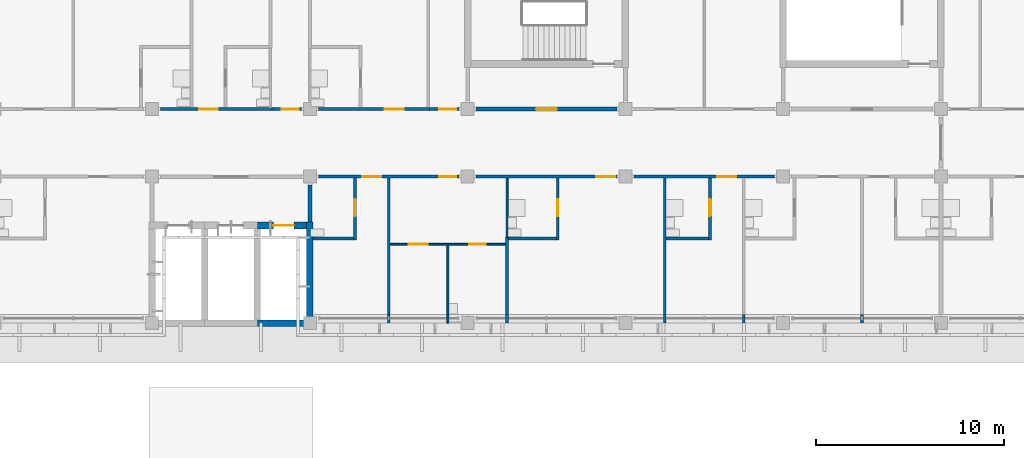
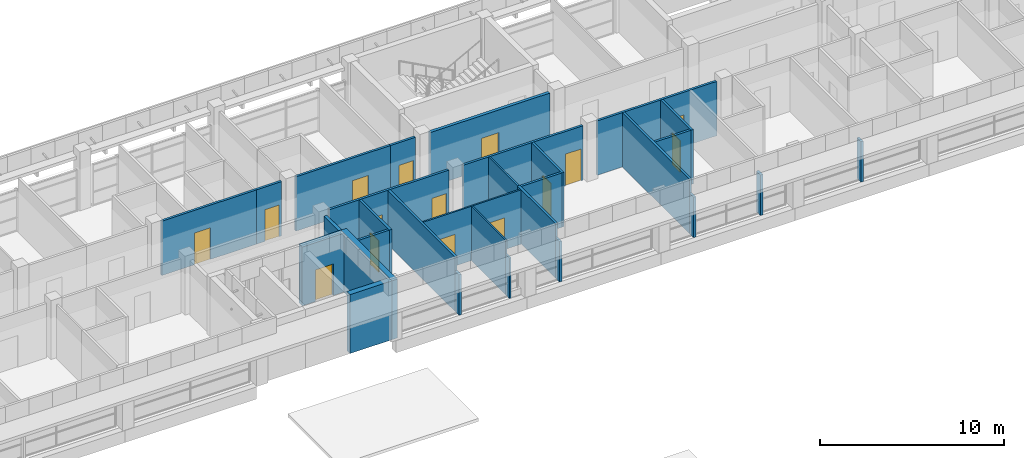
# One storey, part 16 of 36: 30 walls, 15 doors, 15 openings.
"""IFC4 building model written with IfcOpenShell, lengths in metres."""

from ifc_helpers import new_model, si_unit, direction, frame, frame_2d, origin, place, context, subcontext, project, spatial, rectangle, extrude, material, layer, layer_set, type_object, element, fill, save


model = new_model("IFC4")

# Units and contexts
model_context = context("Model", 3, precision=1e-05, world=origin(), true_north=direction((0.0, 1.0)))
body_context = subcontext(model_context, "Body", "Model", "MODEL_VIEW")
ifc_project = project(units=[si_unit("LENGTHUNIT", "METRE"), si_unit("AREAUNIT", "SQUARE_METRE"), si_unit("VOLUMEUNIT", "CUBIC_METRE"), si_unit("PLANEANGLEUNIT", "RADIAN"), si_unit("MASSUNIT", "GRAM", prefix="KILO")], contexts=[model_context])

# Site, building, storey
site_placement = place(None, origin())
site = spatial("IfcSite", under=ifc_project, at=site_placement, CompositionType="ELEMENT")
building_placement = place(site_placement, origin())
building = spatial("IfcBuilding", under=site, at=building_placement, Name="Bougainvillea Quay General Hospital", CompositionType="ELEMENT")
storey_placement = place(building_placement, frame((0.0, 0.0, 32.699951171875)))
storey = spatial("IfcBuildingStorey", under=building, at=storey_placement, Name="L07", CompositionType="ELEMENT", Elevation=32.699951171875)

# Wall, openings, doors
ifc_material_1 = material(Name="Gypsum board partition on steel studs", Category="steel")
ifc_layer_1 = layer(ifc_material_1, 0.10009765625)
ifc_layer_set_1 = layer_set([ifc_layer_1], Name="Gypsum board partition on steel studs")
wall_type_1 = type_object("IfcWallType", Name="Partition 100 Gypsum board partition", PredefinedType="PARTITIONING", material=ifc_layer_set_1)
wall_1_placement = place(storey_placement, frame((79.875, 144.60009765625, 0.0), z_axis=(0.0, 0.0, 1.0), x_axis=(1.0, 0.0, 0.0)))
wall_1 = element("IfcWall", 1, at=wall_1_placement, inside=storey, type_object=wall_type_1, Name="Partition 100 mm", PredefinedType="PARTITIONING", context=body_context, shape_type="SweptSolid", body=[
    extrude(rectangle(XDim=6.14990234375, YDim=0.10009765625, at=frame_2d((3.074951171875, 0.0))), origin(), (0.0, 0.0, 1.0), 3.60009765625),
])
opening_1_placement = place(wall_1_placement, frame((1.0, 0.0, 0.0)))
opening_1 = element("IfcOpeningElement", 2, at=opening_1_placement, cuts=wall_1, Name="Opening L07.023", PredefinedType="OPENING", context=body_context, shape_type="SweptSolid", body=[
    extrude(rectangle(XDim=1.0, YDim=2.10009765625, at=frame_2d((0.5, 1.050048828125))), frame((0.0, 0.06005859375, 0.0), z_axis=(0.0, -1.0, 0.0), x_axis=(1.0, 0.0, 0.0)), (0.0, 0.0, 1.0), 0.1201171875),
])
opening_2_placement = place(wall_1_placement, frame((4.199951171875, 0.0, 0.0)))
opening_2 = element("IfcOpeningElement", 3, at=opening_2_placement, cuts=wall_1, Name="Opening L07.024", PredefinedType="OPENING", context=body_context, shape_type="SweptSolid", body=[
    extrude(rectangle(XDim=0.89990234375, YDim=2.10009765625, at=frame_2d((0.449951171875, 1.050048828125))), frame((0.0, 0.06005859375, 0.0), z_axis=(0.0, -1.0, 0.0), x_axis=(1.0, 0.0, 0.0)), (0.0, 0.0, 1.0), 0.1201171875),
])
ifc_material_2 = material(Name="Solid-core timber door leaf in steel frame", Category="steel")
door_type_1 = type_object("IfcDoorType", Name="Single leaf door 1000x2100", OperationType="NOTDEFINED", PredefinedType="DOOR", material=ifc_material_2)
door_1_placement = place(opening_1_placement, frame((1.0, 0.0, 0.0), z_axis=(0.0, 0.0, 1.0), x_axis=(-1.0, 0.0, 0.0)))
door_1 = element("IfcDoor", 4, at=door_1_placement, inside=storey, type_object=door_type_1, Name="DT06 L07.023", OperationType="SINGLE_SWING_RIGHT", OverallHeight=2.10009765625, OverallWidth=1.0, PredefinedType="DOOR", context=body_context, shape_type="SweptSolid", body=[
    extrude(rectangle(XDim=1.0, YDim=2.10009765625, at=frame_2d((0.5, 1.050048828125))), frame((0.0, 0.02490234375, 0.0), z_axis=(0.0, -1.0, 0.0), x_axis=(1.0, 0.0, 0.0)), (0.0, 0.0, 1.0), 0.050048828125),
])
fill(opening_1, door_1)
door_type_2 = type_object("IfcDoorType", Name="Single leaf door 900x2100", OperationType="NOTDEFINED", PredefinedType="DOOR", material=ifc_material_2)
door_2_placement = place(opening_2_placement, frame((0.89990234375, 0.0, 0.0), z_axis=(0.0, 0.0, 1.0), x_axis=(-1.0, 0.0, 0.0)))
door_2 = element("IfcDoor", 5, at=door_2_placement, inside=storey, type_object=door_type_2, Name="DT07 L07.024", OperationType="SINGLE_SWING_LEFT", OverallHeight=2.10009765625, OverallWidth=0.89990234375, PredefinedType="DOOR", context=body_context, shape_type="SweptSolid", body=[
    extrude(rectangle(XDim=0.89990234375, YDim=2.10009765625, at=frame_2d((0.449951171875, 1.050048828125))), frame((0.0, 0.02490234375, 0.0), z_axis=(0.0, -1.0, 0.0), x_axis=(1.0, 0.0, 0.0)), (0.0, 0.0, 1.0), 0.050048828125),
])
fill(opening_2, door_2)

# Walls
wall_2_placement = place(storey_placement, frame((82.949951171875, 140.39990234375, 0.0), z_axis=(0.0, 0.0, 1.0), x_axis=(0.0, 1.0, 0.0)))
element("IfcWall", 6, at=wall_2_placement, inside=storey, type_object=wall_type_1, Name="Partition 100 mm", PredefinedType="PARTITIONING", context=body_context, shape_type="SweptSolid", body=[
    extrude(rectangle(XDim=0.4501953125, YDim=0.10009765625, at=frame_2d((0.22509765625, 0.0))), origin(), (0.0, 0.0, 1.0), 2.679931640625),
])
wall_3_placement = place(storey_placement, frame((82.949951171875, 140.85009765625, 0.0), z_axis=(0.0, 0.0, 1.0), x_axis=(0.0, 1.0, 0.0)))
element("IfcWall", 7, at=wall_3_placement, inside=storey, type_object=wall_type_1, Name="Partition 100 mm", PredefinedType="PARTITIONING", context=body_context, shape_type="SweptSolid", body=[
    extrude(rectangle(XDim=3.699951171875, YDim=0.10009765625, at=frame_2d((1.85009765625, 0.0))), origin(), (0.0, 0.0, 1.0), 3.60009765625),
])
wall_4_placement = place(storey_placement, frame((86.10009765625, 144.97509765625, 0.0), z_axis=(0.0, 0.0, 1.0), x_axis=(0.0, 1.0, 0.0)))
element("IfcWall", 8, at=wall_4_placement, inside=storey, type_object=wall_type_1, Name="Partition 100 mm", PredefinedType="PARTITIONING", context=body_context, shape_type="SweptSolid", body=[
    extrude(rectangle(XDim=3.14990234375, YDim=0.10009765625, at=frame_2d((1.574951171875, 0.0))), origin(), (0.0, 0.0, 1.0), 3.60009765625),
])
ifc_material_3 = material(Name="Gypsum board partition on steel studs, insulated", Category="steel")
ifc_layer_2 = layer(ifc_material_3, 0.14990234375)
ifc_layer_set_2 = layer_set([ifc_layer_2], Name="Gypsum board partition on steel studs, insulated")
wall_type_2 = type_object("IfcWallType", Name="Partition 150 Gypsum board partition", PredefinedType="PARTITIONING", material=ifc_layer_set_2)
wall_5_placement = place(storey_placement, frame((79.800048828125, 140.39990234375, 0.0), z_axis=(0.0, 0.0, 1.0), x_axis=(0.0, 1.0, 0.0)))
element("IfcWall", 9, at=wall_5_placement, inside=storey, type_object=wall_type_2, Name="Partition 150 mm", PredefinedType="PARTITIONING", context=body_context, shape_type="SweptSolid", body=[
    extrude(rectangle(XDim=0.4501953125, YDim=0.14990234375, at=frame_2d((0.22509765625, 0.0))), origin(), (0.0, 0.0, 1.0), 2.679931640625),
])
wall_6_placement = place(storey_placement, frame((79.800048828125, 140.85009765625, 0.0), z_axis=(0.0, 0.0, 1.0), x_axis=(0.0, 1.0, 0.0)))
element("IfcWall", 10, at=wall_6_placement, inside=storey, type_object=wall_type_2, Name="Partition 150 mm", PredefinedType="PARTITIONING", context=body_context, shape_type="SweptSolid", body=[
    extrude(rectangle(XDim=7.27490234375, YDim=0.14990234375, at=frame_2d((3.637451171875, 0.0))), origin(), (0.0, 0.0, 1.0), 3.60009765625),
])
wall_7_placement = place(storey_placement, frame((94.5, 140.39990234375, 0.0), z_axis=(0.0, 0.0, 1.0), x_axis=(0.0, 1.0, 0.0)))
element("IfcWall", 11, at=wall_7_placement, inside=storey, type_object=wall_type_2, Name="Partition 150 mm", PredefinedType="PARTITIONING", context=body_context, shape_type="SweptSolid", body=[
    extrude(rectangle(XDim=0.4501953125, YDim=0.14990234375, at=frame_2d((0.22509765625, 0.0))), origin(), (0.0, 0.0, 1.0), 2.679931640625),
])
wall_8_placement = place(storey_placement, frame((94.5, 140.85009765625, 0.0), z_axis=(0.0, 0.0, 1.0), x_axis=(0.0, 1.0, 0.0)))
element("IfcWall", 12, at=wall_8_placement, inside=storey, type_object=wall_type_2, Name="Partition 150 mm", PredefinedType="PARTITIONING", context=body_context, shape_type="SweptSolid", body=[
    extrude(rectangle(XDim=7.27490234375, YDim=0.14990234375, at=frame_2d((3.637451171875, 0.0))), origin(), (0.0, 0.0, 1.0), 3.60009765625),
])
for number, where, z_axis, x_axis, name in (
    (13, (98.699951171875, 140.39990234375, 0.0), (0.0, 0.0, 1.0), (0.0, 1.0, 0.0), "Partition 150 mm"),
    (14, (105.0, 140.39990234375, 0.0), (0.0, 0.0, 1.0), (0.0, 1.0, 0.0), "Partition 150 mm"),
    (15, (86.10009765625, 140.39990234375, 0.0), (0.0, 0.0, 1.0), (0.0, 1.0, 0.0), "Partition 150 mm"),
):
    element("IfcWall", number, at=place(storey_placement, frame(where, z_axis=z_axis, x_axis=x_axis)), inside=storey, type_object=wall_type_2, Name=name, PredefinedType="PARTITIONING", context=body_context, shape_type="SweptSolid", body=[
        extrude(rectangle(XDim=0.4501953125, YDim=0.14990234375, at=frame_2d((0.22509765625, 0.0))), origin(), (0.0, 0.0, 1.0), 2.679931640625),
    ])
wall_9_placement = place(storey_placement, frame((86.10009765625, 140.85009765625, 0.0), z_axis=(0.0, 0.0, 1.0), x_axis=(0.0, 1.0, 0.0)))
element("IfcWall", 16, at=wall_9_placement, inside=storey, type_object=wall_type_2, Name="Partition 150 mm", PredefinedType="PARTITIONING", context=body_context, shape_type="SweptSolid", body=[
    extrude(rectangle(XDim=4.125, YDim=0.14990234375, at=frame_2d((2.0625, 0.0))), origin(), (0.0, 0.0, 1.0), 3.60009765625),
])

# Wall, opening, door
wall_10_placement = place(storey_placement, frame((78.0, 144.824951171875, 0.0), z_axis=(0.0, 0.0, 1.0), x_axis=(0.0, 1.0, 0.0)))
wall_10 = element("IfcWall", 17, at=wall_10_placement, inside=storey, type_object=wall_type_2, Name="Partition 150 mm", PredefinedType="PARTITIONING", context=body_context, shape_type="SweptSolid", body=[
    extrude(rectangle(XDim=3.300048828125, YDim=0.14990234375, at=frame_2d((1.64990234375, 0.0))), origin(), (0.0, 0.0, 1.0), 3.60009765625),
])
opening_3_placement = place(wall_10_placement, frame((1.27490234375, 0.0, 0.0)))
opening_3 = element("IfcOpeningElement", 18, at=opening_3_placement, cuts=wall_10, Name="Opening L07.021", PredefinedType="OPENING", context=body_context, shape_type="SweptSolid", body=[
    extrude(rectangle(XDim=0.89990234375, YDim=2.10009765625, at=frame_2d((0.449951171875, 1.050048828125))), frame((0.0, 0.0849609375, 0.0), z_axis=(0.0, -1.0, 0.0), x_axis=(1.0, 0.0, 0.0)), (0.0, 0.0, 1.0), 0.169921875),
])
door_3_placement = place(opening_3_placement, origin())
door_3 = element("IfcDoor", 19, at=door_3_placement, inside=storey, type_object=door_type_2, Name="DT07 L07.021", OperationType="SINGLE_SWING_RIGHT", OverallHeight=2.10009765625, OverallWidth=0.89990234375, PredefinedType="DOOR", context=body_context, shape_type="SweptSolid", body=[
    extrude(rectangle(XDim=0.89990234375, YDim=2.10009765625, at=frame_2d((0.449951171875, 1.050048828125))), frame((0.0, 0.02490234375, 0.0), z_axis=(0.0, -1.0, 0.0), x_axis=(1.0, 0.0, 0.0)), (0.0, 0.0, 1.0), 0.050048828125),
])
fill(opening_3, door_3)

wall_11_placement = place(storey_placement, frame((88.800048828125, 144.824951171875, 0.0), z_axis=(0.0, 0.0, 1.0), x_axis=(0.0, 1.0, 0.0)))
wall_11 = element("IfcWall", 20, at=wall_11_placement, inside=storey, type_object=wall_type_2, Name="Partition 150 mm", PredefinedType="PARTITIONING", context=body_context, shape_type="SweptSolid", body=[
    extrude(rectangle(XDim=3.300048828125, YDim=0.14990234375, at=frame_2d((1.64990234375, 0.0))), origin(), (0.0, 0.0, 1.0), 3.60009765625),
])
opening_4_placement = place(wall_11_placement, frame((1.27490234375, 0.0, 0.0)))
opening_4 = element("IfcOpeningElement", 21, at=opening_4_placement, cuts=wall_11, Name="Opening L07.026", PredefinedType="OPENING", context=body_context, shape_type="SweptSolid", body=[
    extrude(rectangle(XDim=0.89990234375, YDim=2.10009765625, at=frame_2d((0.449951171875, 1.050048828125))), frame((0.0, 0.0849609375, 0.0), z_axis=(0.0, -1.0, 0.0), x_axis=(1.0, 0.0, 0.0)), (0.0, 0.0, 1.0), 0.169921875),
])
door_4_placement = place(opening_4_placement, origin())
door_4 = element("IfcDoor", 22, at=door_4_placement, inside=storey, type_object=door_type_2, Name="DT07 L07.026", OperationType="SINGLE_SWING_RIGHT", OverallHeight=2.10009765625, OverallWidth=0.89990234375, PredefinedType="DOOR", context=body_context, shape_type="SweptSolid", body=[
    extrude(rectangle(XDim=0.89990234375, YDim=2.10009765625, at=frame_2d((0.449951171875, 1.050048828125))), frame((0.0, 0.02490234375, 0.0), z_axis=(0.0, -1.0, 0.0), x_axis=(1.0, 0.0, 0.0)), (0.0, 0.0, 1.0), 0.050048828125),
])
fill(opening_4, door_4)

wall_12_placement = place(storey_placement, frame((96.89990234375, 144.824951171875, 0.0), z_axis=(0.0, 0.0, 1.0), x_axis=(0.0, 1.0, 0.0)))
wall_12 = element("IfcWall", 23, at=wall_12_placement, inside=storey, type_object=wall_type_2, Name="Partition 150 mm", PredefinedType="PARTITIONING", context=body_context, shape_type="SweptSolid", body=[
    extrude(rectangle(XDim=3.300048828125, YDim=0.14990234375, at=frame_2d((1.64990234375, 0.0))), origin(), (0.0, 0.0, 1.0), 3.60009765625),
])
opening_5_placement = place(wall_12_placement, frame((1.27490234375, 0.0, 0.0)))
opening_5 = element("IfcOpeningElement", 24, at=opening_5_placement, cuts=wall_12, Name="Opening L07.028", PredefinedType="OPENING", context=body_context, shape_type="SweptSolid", body=[
    extrude(rectangle(XDim=0.89990234375, YDim=2.10009765625, at=frame_2d((0.449951171875, 1.050048828125))), frame((0.0, 0.0849609375, 0.0), z_axis=(0.0, -1.0, 0.0), x_axis=(1.0, 0.0, 0.0)), (0.0, 0.0, 1.0), 0.169921875),
])
door_5_placement = place(opening_5_placement, origin())
door_5 = element("IfcDoor", 25, at=door_5_placement, inside=storey, type_object=door_type_2, Name="DT07 L07.028", OperationType="SINGLE_SWING_RIGHT", OverallHeight=2.10009765625, OverallWidth=0.89990234375, PredefinedType="DOOR", context=body_context, shape_type="SweptSolid", body=[
    extrude(rectangle(XDim=0.89990234375, YDim=2.10009765625, at=frame_2d((0.449951171875, 1.050048828125))), frame((0.0, 0.02490234375, 0.0), z_axis=(0.0, -1.0, 0.0), x_axis=(1.0, 0.0, 0.0)), (0.0, 0.0, 1.0), 0.050048828125),
])
fill(opening_5, door_5)

# Walls
wall_13_placement = place(storey_placement, frame((86.175048828125, 144.89990234375, 0.0), z_axis=(0.0, 0.0, 1.0), x_axis=(1.0, 0.0, 0.0)))
element("IfcWall", 26, at=wall_13_placement, inside=storey, type_object=wall_type_2, Name="Partition 150 mm", PredefinedType="PARTITIONING", context=body_context, shape_type="SweptSolid", body=[
    extrude(rectangle(XDim=2.550048828125, YDim=0.14990234375, at=frame_2d((1.27490234375, 0.0))), origin(), (0.0, 0.0, 1.0), 3.60009765625),
])
wall_14_placement = place(storey_placement, frame((75.77490234375, 144.89990234375, 0.0), z_axis=(0.0, 0.0, 1.0), x_axis=(1.0, 0.0, 0.0)))
element("IfcWall", 27, at=wall_14_placement, inside=storey, type_object=wall_type_2, Name="Partition 150 mm", PredefinedType="PARTITIONING", context=body_context, shape_type="SweptSolid", body=[
    extrude(rectangle(XDim=2.150146484375, YDim=0.14990234375, at=frame_2d((1.0751953125, 0.0))), origin(), (0.0, 0.0, 1.0), 3.60009765625),
])
wall_15_placement = place(storey_placement, frame((94.574951171875, 144.89990234375, 0.0), z_axis=(0.0, 0.0, 1.0), x_axis=(1.0, 0.0, 0.0)))
element("IfcWall", 28, at=wall_15_placement, inside=storey, type_object=wall_type_2, Name="Partition 150 mm", PredefinedType="PARTITIONING", context=body_context, shape_type="SweptSolid", body=[
    extrude(rectangle(XDim=2.25, YDim=0.14990234375, at=frame_2d((1.125, 0.0))), origin(), (0.0, 0.0, 1.0), 3.60009765625),
])

# Wall, opening, door
ifc_layer_3 = layer(ifc_material_3, 0.14990234375)
ifc_layer_set_3 = layer_set([ifc_layer_3], Name="Gypsum board partition on steel studs, insulated")
wall_type_3 = type_object("IfcWallType", Name="Partition 150 Gypsum board partition EI 30", PredefinedType="PARTITIONING", material=ifc_layer_set_3)
wall_16_placement = place(storey_placement, frame((100.35009765625, 148.199951171875, 0.0), z_axis=(0.0, 0.0, 1.0), x_axis=(-1.0, 0.0, 0.0)))
wall_16 = element("IfcWall", 29, at=wall_16_placement, inside=storey, type_object=wall_type_3, Name="Partition 150 mm EI 30", PredefinedType="PARTITIONING", context=body_context, shape_type="SweptSolid", body=[
    extrude(rectangle(XDim=7.5, YDim=0.14990234375, at=frame_2d((3.75, 0.0))), origin(), (0.0, 0.0, 1.0), 3.60009765625),
])
opening_6_placement = place(wall_16_placement, frame((2.050048828125, 0.0, 0.0)))
opening_6 = element("IfcOpeningElement", 30, at=opening_6_placement, cuts=wall_16, Name="Opening L07.027", PredefinedType="OPENING", context=body_context, shape_type="SweptSolid", body=[
    extrude(rectangle(XDim=1.0, YDim=2.10009765625, at=frame_2d((0.5, 1.050048828125))), frame((0.0, 0.0849609375, 0.0), z_axis=(0.0, -1.0, 0.0), x_axis=(1.0, 0.0, 0.0)), (0.0, 0.0, 1.0), 0.169921875),
])
door_type_3 = type_object("IfcDoorType", Name="Single leaf door 1000x2100 FD30S", OperationType="NOTDEFINED", PredefinedType="DOOR", material=ifc_material_2)
door_6_placement = place(opening_6_placement, origin())
door_6 = element("IfcDoor", 31, at=door_6_placement, inside=storey, type_object=door_type_3, Name="DT15 L07.027", OperationType="SINGLE_SWING_LEFT", OverallHeight=2.10009765625, OverallWidth=1.0, PredefinedType="DOOR", context=body_context, shape_type="SweptSolid", body=[
    extrude(rectangle(XDim=1.0, YDim=2.10009765625, at=frame_2d((0.5, 1.050048828125))), frame((0.0, 0.02490234375, 0.0), z_axis=(0.0, -1.0, 0.0), x_axis=(1.0, 0.0, 0.0)), (0.0, 0.0, 1.0), 0.050048828125),
])
fill(opening_6, door_6)

wall_17_placement = place(storey_placement, frame((91.949951171875, 148.199951171875, 0.0), z_axis=(0.0, 0.0, 1.0), x_axis=(-1.0, 0.0, 0.0)))
wall_17 = element("IfcWall", 32, at=wall_17_placement, inside=storey, type_object=wall_type_3, Name="Partition 150 mm EI 30", PredefinedType="PARTITIONING", context=body_context, shape_type="SweptSolid", body=[
    extrude(rectangle(XDim=7.5, YDim=0.14990234375, at=frame_2d((3.75, 0.0))), origin(), (0.0, 0.0, 1.0), 3.60009765625),
])
opening_7_placement = place(wall_17_placement, frame((0.10009765625, 0.0, 0.0)))
opening_7 = element("IfcOpeningElement", 33, at=opening_7_placement, cuts=wall_17, Name="Opening L07.025", PredefinedType="OPENING", context=body_context, shape_type="SweptSolid", body=[
    extrude(rectangle(XDim=1.0, YDim=2.10009765625, at=frame_2d((0.5, 1.050048828125))), frame((0.0, 0.0849609375, 0.0), z_axis=(0.0, -1.0, 0.0), x_axis=(1.0, 0.0, 0.0)), (0.0, 0.0, 1.0), 0.169921875),
])
door_7_placement = place(opening_7_placement, origin())
door_7 = element("IfcDoor", 34, at=door_7_placement, inside=storey, type_object=door_type_3, Name="DT15 L07.025", OperationType="SINGLE_SWING_LEFT", OverallHeight=2.10009765625, OverallWidth=1.0, PredefinedType="DOOR", context=body_context, shape_type="SweptSolid", body=[
    extrude(rectangle(XDim=1.0, YDim=2.10009765625, at=frame_2d((0.5, 1.050048828125))), frame((0.0, 0.02490234375, 0.0), z_axis=(0.0, -1.0, 0.0), x_axis=(1.0, 0.0, 0.0)), (0.0, 0.0, 1.0), 0.050048828125),
])
fill(opening_7, door_7)

# Wall, openings, doors
wall_18_placement = place(storey_placement, frame((83.550048828125, 148.199951171875, 0.0), z_axis=(0.0, 0.0, 1.0), x_axis=(-1.0, 0.0, 0.0)))
wall_18 = element("IfcWall", 35, at=wall_18_placement, inside=storey, type_object=wall_type_3, Name="Partition 150 mm EI 30", PredefinedType="PARTITIONING", context=body_context, shape_type="SweptSolid", body=[
    extrude(rectangle(XDim=7.5, YDim=0.14990234375, at=frame_2d((3.75, 0.0))), origin(), (0.0, 0.0, 1.0), 3.60009765625),
])
opening_8_placement = place(wall_18_placement, frame((4.14990234375, 0.0, 0.0)))
opening_8 = element("IfcOpeningElement", 36, at=opening_8_placement, cuts=wall_18, Name="Opening L07.020", PredefinedType="OPENING", context=body_context, shape_type="SweptSolid", body=[
    extrude(rectangle(XDim=1.0, YDim=2.10009765625, at=frame_2d((0.5, 1.050048828125))), frame((0.0, 0.0849609375, 0.0), z_axis=(0.0, -1.0, 0.0), x_axis=(1.0, 0.0, 0.0)), (0.0, 0.0, 1.0), 0.169921875),
])
opening_9_placement = place(wall_18_placement, frame((0.14990234375, 0.0, 0.0)))
opening_9 = element("IfcOpeningElement", 37, at=opening_9_placement, cuts=wall_18, Name="Opening L07.022", PredefinedType="OPENING", context=body_context, shape_type="SweptSolid", body=[
    extrude(rectangle(XDim=0.89990234375, YDim=2.10009765625, at=frame_2d((0.449951171875, 1.050048828125))), frame((0.0, 0.0849609375, 0.0), z_axis=(0.0, -1.0, 0.0), x_axis=(1.0, 0.0, 0.0)), (0.0, 0.0, 1.0), 0.169921875),
])
door_8_placement = place(opening_8_placement, origin())
door_8 = element("IfcDoor", 38, at=door_8_placement, inside=storey, type_object=door_type_3, Name="DT15 L07.020", OperationType="SINGLE_SWING_RIGHT", OverallHeight=2.10009765625, OverallWidth=1.0, PredefinedType="DOOR", context=body_context, shape_type="SweptSolid", body=[
    extrude(rectangle(XDim=1.0, YDim=2.10009765625, at=frame_2d((0.5, 1.050048828125))), frame((0.0, 0.02490234375, 0.0), z_axis=(0.0, -1.0, 0.0), x_axis=(1.0, 0.0, 0.0)), (0.0, 0.0, 1.0), 0.050048828125),
])
fill(opening_8, door_8)
door_type_4 = type_object("IfcDoorType", Name="Single leaf door 900x2100 FD60", OperationType="NOTDEFINED", PredefinedType="DOOR", material=ifc_material_2)
door_9_placement = place(opening_9_placement, origin())
door_9 = element("IfcDoor", 39, at=door_9_placement, inside=storey, type_object=door_type_4, Name="DT18 L07.022", OperationType="SINGLE_SWING_LEFT", OverallHeight=2.10009765625, OverallWidth=0.89990234375, PredefinedType="DOOR", context=body_context, shape_type="SweptSolid", body=[
    extrude(rectangle(XDim=0.89990234375, YDim=2.10009765625, at=frame_2d((0.449951171875, 1.050048828125))), frame((0.0, 0.02490234375, 0.0), z_axis=(0.0, -1.0, 0.0), x_axis=(1.0, 0.0, 0.0)), (0.0, 0.0, 1.0), 0.050048828125),
])
fill(opening_9, door_9)

# Wall, opening, door
wall_19_placement = place(storey_placement, frame((73.574951171875, 151.800048828125, 0.0), z_axis=(0.0, 0.0, 1.0), x_axis=(-1.0, 0.0, 0.0)))
wall_19 = element("IfcWall", 40, at=wall_19_placement, inside=storey, type_object=wall_type_3, Name="Partition 150 mm EI 30", PredefinedType="PARTITIONING", context=body_context, shape_type="SweptSolid", body=[
    extrude(rectangle(XDim=5.925048828125, YDim=0.14990234375, at=frame_2d((2.96240234375, 0.0))), origin(), (0.0, 0.0, 1.0), 3.60009765625),
])
opening_10_placement = place(wall_19_placement, frame((2.875, 0.0, 0.0)))
opening_10 = element("IfcOpeningElement", 41, at=opening_10_placement, cuts=wall_19, Name="Opening L07.014", PredefinedType="OPENING", context=body_context, shape_type="SweptSolid", body=[
    extrude(rectangle(XDim=1.0, YDim=2.10009765625, at=frame_2d((0.5, 1.050048828125))), frame((0.0, 0.0849609375, 0.0), z_axis=(0.0, -1.0, 0.0), x_axis=(1.0, 0.0, 0.0)), (0.0, 0.0, 1.0), 0.169921875),
])
door_10_placement = place(opening_10_placement, frame((1.0, 0.0, 0.0), z_axis=(0.0, 0.0, 1.0), x_axis=(-1.0, 0.0, 0.0)))
door_10 = element("IfcDoor", 42, at=door_10_placement, inside=storey, type_object=door_type_3, Name="DT15 L07.014", OperationType="SINGLE_SWING_LEFT", OverallHeight=2.10009765625, OverallWidth=1.0, PredefinedType="DOOR", context=body_context, shape_type="SweptSolid", body=[
    extrude(rectangle(XDim=1.0, YDim=2.10009765625, at=frame_2d((0.5, 1.050048828125))), frame((0.0, 0.02490234375, 0.0), z_axis=(0.0, -1.0, 0.0), x_axis=(1.0, 0.0, 0.0)), (0.0, 0.0, 1.0), 0.050048828125),
])
fill(opening_10, door_10)

wall_20_placement = place(storey_placement, frame((76.050048828125, 151.800048828125, 0.0), z_axis=(0.0, 0.0, 1.0), x_axis=(1.0, 0.0, 0.0)))
wall_20 = element("IfcWall", 43, at=wall_20_placement, inside=storey, type_object=wall_type_3, Name="Partition 150 mm EI 30", PredefinedType="PARTITIONING", context=body_context, shape_type="SweptSolid", body=[
    extrude(rectangle(XDim=5.925048828125, YDim=0.14990234375, at=frame_2d((2.96240234375, 0.0))), origin(), (0.0, 0.0, 1.0), 3.60009765625),
])
opening_11_placement = place(wall_20_placement, frame((3.550048828125, 0.0, 0.0)))
opening_11 = element("IfcOpeningElement", 44, at=opening_11_placement, cuts=wall_20, Name="Opening L07.017", PredefinedType="OPENING", context=body_context, shape_type="SweptSolid", body=[
    extrude(rectangle(XDim=1.0, YDim=2.10009765625, at=frame_2d((0.5, 1.050048828125))), frame((0.0, 0.0849609375, 0.0), z_axis=(0.0, -1.0, 0.0), x_axis=(1.0, 0.0, 0.0)), (0.0, 0.0, 1.0), 0.169921875),
])
door_11_placement = place(opening_11_placement, origin())
door_11 = element("IfcDoor", 45, at=door_11_placement, inside=storey, type_object=door_type_3, Name="DT15 L07.017", OperationType="SINGLE_SWING_RIGHT", OverallHeight=2.10009765625, OverallWidth=1.0, PredefinedType="DOOR", context=body_context, shape_type="SweptSolid", body=[
    extrude(rectangle(XDim=1.0, YDim=2.10009765625, at=frame_2d((0.5, 1.050048828125))), frame((0.0, 0.02490234375, 0.0), z_axis=(0.0, -1.0, 0.0), x_axis=(1.0, 0.0, 0.0)), (0.0, 0.0, 1.0), 0.050048828125),
])
fill(opening_11, door_11)

ifc_layer_4 = layer(ifc_material_3, 0.14990234375)
ifc_layer_set_4 = layer_set([ifc_layer_4], Name="Gypsum board partition on steel studs, insulated")
wall_type_4 = type_object("IfcWallType", Name="Partition 150 Gypsum board partition EI 60", PredefinedType="PARTITIONING", material=ifc_layer_set_4)
wall_21_placement = place(storey_placement, frame((73.574951171875, 151.800048828125, 0.0), z_axis=(0.0, 0.0, 1.0), x_axis=(1.0, 0.0, 0.0)))
wall_21 = element("IfcWall", 46, at=wall_21_placement, inside=storey, type_object=wall_type_4, Name="Partition 150 mm EI 60", PredefinedType="PARTITIONING", context=body_context, shape_type="SweptSolid", body=[
    extrude(rectangle(XDim=1.574951171875, YDim=0.14990234375, at=frame_2d((0.78759765625, 0.0))), origin(), (0.0, 0.0, 1.0), 3.60009765625),
])
opening_12_placement = place(wall_21_placement, frame((0.52490234375, 0.0, 0.0)))
opening_12 = element("IfcOpeningElement", 47, at=opening_12_placement, cuts=wall_21, Name="Opening L07.016", PredefinedType="OPENING", context=body_context, shape_type="SweptSolid", body=[
    extrude(rectangle(XDim=0.89990234375, YDim=2.10009765625, at=frame_2d((0.449951171875, 1.050048828125))), frame((0.0, 0.0849609375, 0.0), z_axis=(0.0, -1.0, 0.0), x_axis=(1.0, 0.0, 0.0)), (0.0, 0.0, 1.0), 0.169921875),
])
door_12_placement = place(opening_12_placement, origin())
door_12 = element("IfcDoor", 48, at=door_12_placement, inside=storey, type_object=door_type_4, Name="DT18 L07.016", OperationType="SINGLE_SWING_RIGHT", OverallHeight=2.10009765625, OverallWidth=0.89990234375, PredefinedType="DOOR", context=body_context, shape_type="SweptSolid", body=[
    extrude(rectangle(XDim=0.89990234375, YDim=2.10009765625, at=frame_2d((0.449951171875, 1.050048828125))), frame((0.0, 0.02490234375, 0.0), z_axis=(0.0, -1.0, 0.0), x_axis=(1.0, 0.0, 0.0)), (0.0, 0.0, 1.0), 0.050048828125),
])
fill(opening_12, door_12)

wall_22_placement = place(storey_placement, frame((81.97509765625, 151.800048828125, 0.0), z_axis=(0.0, 0.0, 1.0), x_axis=(1.0, 0.0, 0.0)))
wall_22 = element("IfcWall", 49, at=wall_22_placement, inside=storey, type_object=wall_type_4, Name="Partition 150 mm EI 60", PredefinedType="PARTITIONING", context=body_context, shape_type="SweptSolid", body=[
    extrude(rectangle(XDim=1.574951171875, YDim=0.14990234375, at=frame_2d((0.78759765625, 0.0))), origin(), (0.0, 0.0, 1.0), 3.60009765625),
])
opening_13_placement = place(wall_22_placement, frame((0.52490234375, 0.0, 0.0)))
opening_13 = element("IfcOpeningElement", 50, at=opening_13_placement, cuts=wall_22, Name="Opening L07.019", PredefinedType="OPENING", context=body_context, shape_type="SweptSolid", body=[
    extrude(rectangle(XDim=0.89990234375, YDim=2.10009765625, at=frame_2d((0.449951171875, 1.050048828125))), frame((0.0, 0.0849609375, 0.0), z_axis=(0.0, -1.0, 0.0), x_axis=(1.0, 0.0, 0.0)), (0.0, 0.0, 1.0), 0.169921875),
])
door_13_placement = place(opening_13_placement, origin())
door_13 = element("IfcDoor", 51, at=door_13_placement, inside=storey, type_object=door_type_4, Name="DT18 L07.019", OperationType="SINGLE_SWING_RIGHT", OverallHeight=2.10009765625, OverallWidth=0.89990234375, PredefinedType="DOOR", context=body_context, shape_type="SweptSolid", body=[
    extrude(rectangle(XDim=0.89990234375, YDim=2.10009765625, at=frame_2d((0.449951171875, 1.050048828125))), frame((0.0, 0.02490234375, 0.0), z_axis=(0.0, -1.0, 0.0), x_axis=(1.0, 0.0, 0.0)), (0.0, 0.0, 1.0), 0.050048828125),
])
fill(opening_13, door_13)

ifc_material_4 = material(Name="Fire-rated autoclaved aerated block wall, plastered")
ifc_layer_5 = layer(ifc_material_4, 0.199951171875)
ifc_layer_set_5 = layer_set([ifc_layer_5], Name="Fire-rated autoclaved aerated block wall, plastered")
wall_type_5 = type_object("IfcWallType", Name="Partition 200 Fire-rated autoclaved aerated block wall EI 120", PredefinedType="SOLIDWALL", material=ifc_layer_set_5)
wall_23_placement = place(storey_placement, frame((84.449951171875, 151.800048828125, 0.0), z_axis=(0.0, 0.0, 1.0), x_axis=(1.0, 0.0, 0.0)))
wall_23 = element("IfcWall", 52, at=wall_23_placement, inside=storey, type_object=wall_type_5, Name="Partition 200 mm EI 120", PredefinedType="SOLIDWALL", context=body_context, shape_type="SweptSolid", body=[
    extrude(rectangle(XDim=7.5, YDim=0.199951171875, at=frame_2d((3.75, 0.0))), origin(), (0.0, 0.0, 1.0), 3.60009765625),
])
opening_14_placement = place(wall_23_placement, frame((3.199951171875, 0.0, 0.0)))
opening_14 = element("IfcOpeningElement", 53, at=opening_14_placement, cuts=wall_23, Name="Opening L07.075", PredefinedType="OPENING", context=body_context, shape_type="SweptSolid", body=[
    extrude(rectangle(XDim=1.10009765625, YDim=2.10009765625, at=frame_2d((0.550048828125, 1.050048828125))), frame((0.0, 0.10986328125, 0.0), z_axis=(0.0, -1.0, 0.0), x_axis=(1.0, 0.0, 0.0)), (0.0, 0.0, 1.0), 0.219970703125),
])
ifc_material_5 = material(Name="Steel fire door leaf in steel frame", Category="steel")
door_type_5 = type_object("IfcDoorType", Name="Steel single leaf door 1100x2100 FD60", OperationType="NOTDEFINED", PredefinedType="DOOR", material=ifc_material_5)
door_14_placement = place(opening_14_placement, origin())
door_14 = element("IfcDoor", 54, at=door_14_placement, inside=storey, type_object=door_type_5, Name="DT04 L07.075", OperationType="SINGLE_SWING_RIGHT", OverallHeight=2.10009765625, OverallWidth=1.10009765625, PredefinedType="DOOR", context=body_context, shape_type="SweptSolid", body=[
    extrude(rectangle(XDim=1.10009765625, YDim=2.10009765625, at=frame_2d((0.550048828125, 1.050048828125))), frame((0.0, 0.02490234375, 0.0), z_axis=(0.0, -1.0, 0.0), x_axis=(1.0, 0.0, 0.0)), (0.0, 0.0, 1.0), 0.050048828125),
])
fill(opening_14, door_14)

# Walls
wall_24_placement = place(storey_placement, frame((75.60009765625, 145.77490234375, 0.0), z_axis=(0.0, 0.0, 1.0), x_axis=(0.0, 1.0, 0.0)))
element("IfcWall", 55, at=wall_24_placement, inside=storey, type_object=wall_type_5, Name="Partition 200 mm EI 120", PredefinedType="SOLIDWALL", context=body_context, shape_type="SweptSolid", body=[
    extrude(rectangle(XDim=1.97509765625, YDim=0.199951171875, at=frame_2d((0.987548828125, 0.0))), origin(), (0.0, 0.0, 1.0), 3.60009765625),
])
ifc_material_6 = material(Name="Concrete C40", Category="concrete")
ifc_layer_6 = layer(ifc_material_6, 0.35009765625)
ifc_layer_set_6 = layer_set([ifc_layer_6], Name="Concrete C40")
wall_type_6 = type_object("IfcWallType", Name="RC SHEAR WALL 350 C40", PredefinedType="SHEAR", material=ifc_layer_set_6)
wall_25_placement = place(storey_placement, frame((72.800048828125, 140.39990234375, 0.0), z_axis=(0.0, 0.0, 1.0), x_axis=(1.0, 0.0, 0.0)))
element("IfcWall", 56, at=wall_25_placement, inside=storey, type_object=wall_type_6, Name="Shear wall L07", PredefinedType="SHEAR", context=body_context, shape_type="SweptSolid", body=[
    extrude(rectangle(XDim=2.625, YDim=0.35009765625, at=frame_2d((1.3125, 0.0))), origin(), (0.0, 0.0, 1.0), 3.900146484375),
])

# Wall, opening, door
wall_26_placement = place(storey_placement, frame((72.800048828125, 145.60009765625, 0.0), z_axis=(0.0, 0.0, 1.0), x_axis=(1.0, 0.0, 0.0)))
wall_26 = element("IfcWall", 57, at=wall_26_placement, inside=storey, type_object=wall_type_6, Name="Shear wall L07", PredefinedType="SHEAR", context=body_context, shape_type="SweptSolid", body=[
    extrude(rectangle(XDim=2.625, YDim=0.35009765625, at=frame_2d((1.3125, 0.0))), origin(), (0.0, 0.0, 1.0), 3.900146484375),
])
opening_15_placement = place(wall_26_placement, frame((0.85009765625, 0.0, 0.0)))
opening_15 = element("IfcOpeningElement", 58, at=opening_15_placement, cuts=wall_26, Name="Opening LD-A1.3-L07", PredefinedType="OPENING", context=body_context, shape_type="SweptSolid", body=[
    extrude(rectangle(XDim=1.10009765625, YDim=2.10009765625, at=frame_2d((0.550048828125, 1.050048828125))), frame((0.0, 0.18505859375, 0.0), z_axis=(0.0, -1.0, 0.0), x_axis=(1.0, 0.0, 0.0)), (0.0, 0.0, 1.0), 0.3701171875),
])
ifc_material_7 = material(Name="Stainless steel centre-opening landing door", Category="steel")
door_type_6 = type_object("IfcDoorType", Name="Lift landing door 1100x2100 E 120", OperationType="DOUBLE_DOOR_SLIDING", PredefinedType="DOOR", material=ifc_material_7)
door_15_placement = place(opening_15_placement, origin())
door_15 = element("IfcDoor", 59, at=door_15_placement, inside=storey, type_object=door_type_6, Name="Lift landing door LB-A1-3 L07", OperationType="DOUBLE_DOOR_SLIDING", OverallHeight=2.10009765625, OverallWidth=1.10009765625, PredefinedType="DOOR", context=body_context, shape_type="SweptSolid", body=[
    extrude(rectangle(XDim=1.10009765625, YDim=2.10009765625, at=frame_2d((0.550048828125, 1.050048828125))), frame((0.0, 0.02490234375, 0.0), z_axis=(0.0, -1.0, 0.0), x_axis=(1.0, 0.0, 0.0)), (0.0, 0.0, 1.0), 0.050048828125),
])
fill(opening_15, door_15)

# Wall
wall_27_placement = place(storey_placement, frame((75.60009765625, 140.22509765625, 0.0), z_axis=(0.0, 0.0, 1.0), x_axis=(0.0, 1.0, 0.0)))
element("IfcWall", 60, at=wall_27_placement, inside=storey, type_object=wall_type_6, Name="Shear wall L07", PredefinedType="SHEAR", context=body_context, shape_type="SweptSolid", body=[
    extrude(rectangle(XDim=5.5498046875, YDim=0.35009765625, at=frame_2d((2.77490234375, 0.0))), origin(), (0.0, 0.0, 1.0), 3.900146484375),
])

save(model, "model.ifc")
